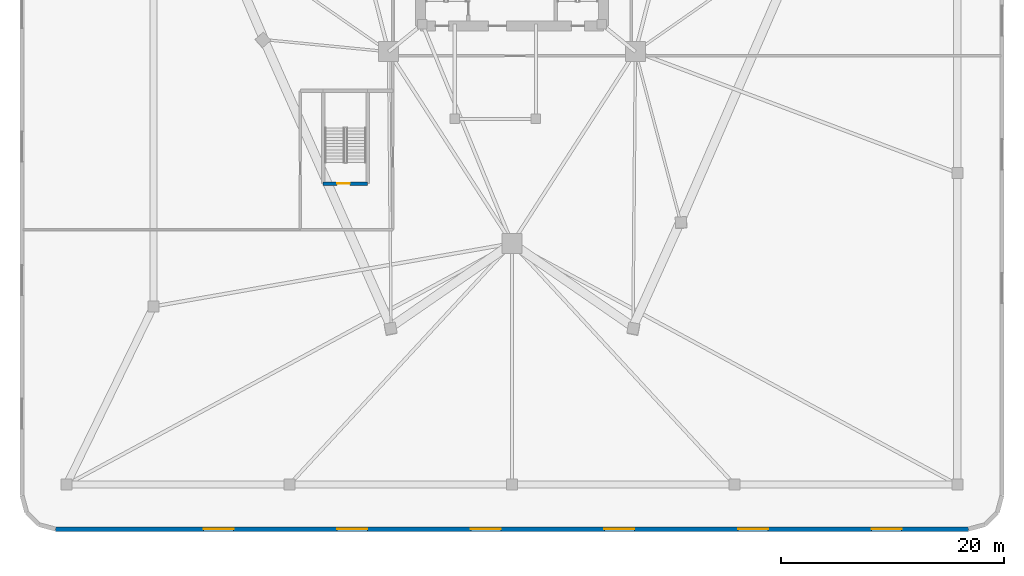
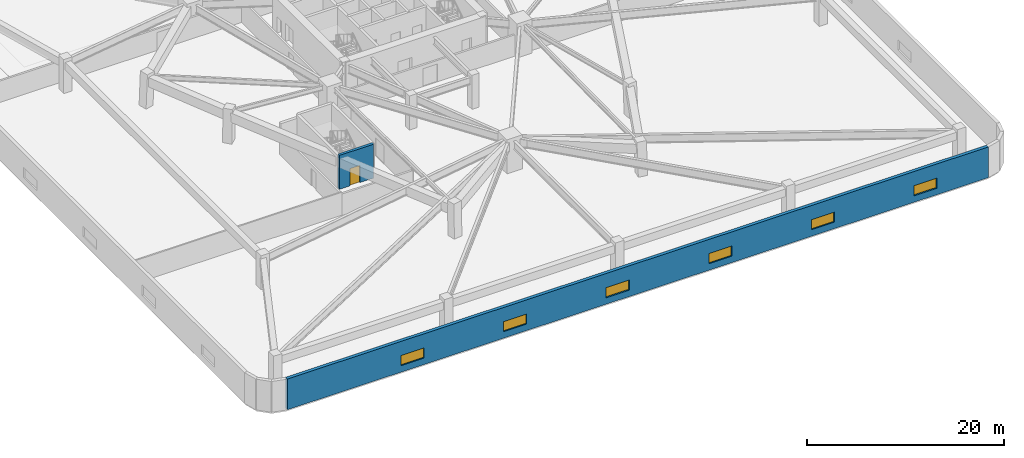
# One storey, part 3 of 10: 6 windows, 2 walls, 1 door, 7 openings.
"""IFC4 building model written with IfcOpenShell, lengths in metres."""

from ifc_helpers import new_model, si_unit, direction, frame, frame_2d, origin, place, context, subcontext, project, spatial, rectangle, extrude, material, layer, layer_set, type_object, element, fill, save


model = new_model("IFC4")

# Units and contexts
model_context = context("Model", 3, precision=1e-05, world=origin(), true_north=direction((0.0, 1.0)))
body_context = subcontext(model_context, "Body", "Model", "MODEL_VIEW")
ifc_project = project(units=[si_unit("LENGTHUNIT", "METRE"), si_unit("AREAUNIT", "SQUARE_METRE"), si_unit("VOLUMEUNIT", "CUBIC_METRE"), si_unit("PLANEANGLEUNIT", "RADIAN"), si_unit("MASSUNIT", "GRAM", prefix="KILO")], contexts=[model_context])

# Site, building, storey
site_placement = place(None, origin())
site = spatial("IfcSite", under=ifc_project, at=site_placement, CompositionType="ELEMENT")
building_placement = place(site_placement, origin())
building = spatial("IfcBuilding", under=site, at=building_placement, Name="Talyreon Biosciences Tower", CompositionType="ELEMENT")
storey_placement = place(building_placement, frame((0.0, 0.0, 18.60009765625)))
storey = spatial("IfcBuildingStorey", under=building, at=storey_placement, Name="L04", CompositionType="ELEMENT", Elevation=18.60009765625)

# Wall, opening, door
ifc_material_1 = material(Name="Concrete C50/60", Category="concrete")
ifc_layer_1 = layer(ifc_material_1, 0.320068359375)
ifc_layer_set_1 = layer_set([ifc_layer_1], Name="Concrete C50/60")
wall_type_1 = type_object("IfcWallType", Name="CoreShearWall_320", PredefinedType="SHEAR", material=ifc_layer_set_1)
wall_1_placement = place(storey_placement, frame((49.0400390625, 47.0400390625, 0.0), z_axis=(0.0, 0.0, 1.0), x_axis=(1.0, 0.0, 0.0)))
wall_1 = element("IfcWall", 1, at=wall_1_placement, inside=storey, type_object=wall_type_1, Name="L04 Stair ST-3 Structural Wall S", PredefinedType="SHEAR", context=body_context, shape_type="SweptSolid", body=[
    extrude(rectangle(XDim=4.0, YDim=0.320068359375, at=frame_2d((2.0, 0.0))), origin(), (0.0, 0.0, 1.0), 4.199951171875),
])
opening_1_placement = place(wall_1_placement, frame((1.25, 0.0, 0.0)))
opening_1 = element("IfcOpeningElement", 2, at=opening_1_placement, cuts=wall_1, Name="Opening DR-L04-ST3", PredefinedType="OPENING", context=body_context, shape_type="SweptSolid", body=[
    extrude(rectangle(XDim=1.14990234375, YDim=2.14990234375, at=frame_2d((0.574951171875, 1.074951171875))), frame((0.0, 0.169921875, 0.0), z_axis=(0.0, -1.0, 0.0), x_axis=(1.0, 0.0, 0.0)), (0.0, 0.0, 1.0), 0.340087890625),
])
ifc_material_2 = material(Name="Painted steel fire door", Category="steel")
door_type = type_object("IfcDoorType", Name="StairShaftFireDoor_1150x2150", OperationType="NOTDEFINED", PredefinedType="DOOR", material=ifc_material_2)
door_placement = place(opening_1_placement, origin())
door = element("IfcDoor", 3, at=door_placement, inside=storey, type_object=door_type, Name="L04 Core Door DR-L04-ST3", OperationType="SINGLE_SWING_LEFT", OverallHeight=2.14990234375, OverallWidth=1.14990234375, PredefinedType="DOOR", context=body_context, shape_type="SweptSolid", body=[
    extrude(rectangle(XDim=1.14990234375, YDim=2.14990234375, at=frame_2d((0.574951171875, 1.074951171875))), frame((0.0, 0.02490234375, 0.0), z_axis=(0.0, -1.0, 0.0), x_axis=(1.0, 0.0, 0.0)), (0.0, 0.0, 1.0), 0.050048828125),
])
fill(opening_1, door)

# Wall, openings, windows
ifc_material_3 = material(Name="Precast concrete C45/55", Category="concrete")
ifc_layer_2 = layer(ifc_material_3, 0.3798828125)
ifc_layer_set_2 = layer_set([ifc_layer_2], Name="Precast concrete C45/55")
wall_type_2 = type_object("IfcWallType", Name="PrecastConcretePodiumWall_380", PredefinedType="STANDARD", material=ifc_layer_set_2)
wall_2_placement = place(storey_placement, frame((107.0, 16.0, 0.0), z_axis=(0.0, 0.0, 1.0), x_axis=(-1.0, 0.0, 0.0)))
wall_2 = element("IfcWall", 4, at=wall_2_placement, inside=storey, type_object=wall_type_2, Name="L04 Podium Concrete Frame Wall 01", PredefinedType="STANDARD", context=body_context, shape_type="SweptSolid", body=[
    extrude(rectangle(XDim=82.0, YDim=0.3798828125, at=frame_2d((41.0, 0.0))), origin(), (0.0, 0.0, 1.0), 3.7998046875),
])
opening_2_placement = place(wall_2_placement, frame((6.0, 0.0, 0.800048828125)))
opening_2 = element("IfcOpeningElement", 5, at=opening_2_placement, cuts=wall_2, Name="Opening W05", PredefinedType="OPENING", context=body_context, shape_type="SweptSolid", body=[
    extrude(rectangle(XDim=2.699951171875, YDim=1.25, at=frame_2d((1.35009765625, 0.625))), frame((0.0, 0.199951171875, 0.0), z_axis=(0.0, -1.0, 0.0), x_axis=(1.0, 0.0, 0.0)), (0.0, 0.0, 1.0), 0.39990234375),
])
opening_3_placement = place(wall_2_placement, frame((18.0, 0.0, 0.800048828125)))
opening_3 = element("IfcOpeningElement", 6, at=opening_3_placement, cuts=wall_2, Name="Opening W05", PredefinedType="OPENING", context=body_context, shape_type="SweptSolid", body=[
    extrude(rectangle(XDim=2.699951171875, YDim=1.25, at=frame_2d((1.35009765625, 0.625))), frame((0.0, 0.199951171875, 0.0), z_axis=(0.0, -1.0, 0.0), x_axis=(1.0, 0.0, 0.0)), (0.0, 0.0, 1.0), 0.39990234375),
])
opening_4_placement = place(wall_2_placement, frame((30.0, 0.0, 0.800048828125)))
opening_4 = element("IfcOpeningElement", 7, at=opening_4_placement, cuts=wall_2, Name="Opening W05", PredefinedType="OPENING", context=body_context, shape_type="SweptSolid", body=[
    extrude(rectangle(XDim=2.699951171875, YDim=1.25, at=frame_2d((1.35009765625, 0.625))), frame((0.0, 0.199951171875, 0.0), z_axis=(0.0, -1.0, 0.0), x_axis=(1.0, 0.0, 0.0)), (0.0, 0.0, 1.0), 0.39990234375),
])
opening_5_placement = place(wall_2_placement, frame((42.0, 0.0, 0.800048828125)))
opening_5 = element("IfcOpeningElement", 8, at=opening_5_placement, cuts=wall_2, Name="Opening W05", PredefinedType="OPENING", context=body_context, shape_type="SweptSolid", body=[
    extrude(rectangle(XDim=2.699951171875, YDim=1.25, at=frame_2d((1.35009765625, 0.625))), frame((0.0, 0.199951171875, 0.0), z_axis=(0.0, -1.0, 0.0), x_axis=(1.0, 0.0, 0.0)), (0.0, 0.0, 1.0), 0.39990234375),
])
opening_6_placement = place(wall_2_placement, frame((54.0, 0.0, 0.800048828125)))
opening_6 = element("IfcOpeningElement", 9, at=opening_6_placement, cuts=wall_2, Name="Opening W05", PredefinedType="OPENING", context=body_context, shape_type="SweptSolid", body=[
    extrude(rectangle(XDim=2.699951171875, YDim=1.25, at=frame_2d((1.35009765625, 0.625))), frame((0.0, 0.199951171875, 0.0), z_axis=(0.0, -1.0, 0.0), x_axis=(1.0, 0.0, 0.0)), (0.0, 0.0, 1.0), 0.39990234375),
])
opening_7_placement = place(wall_2_placement, frame((66.0, 0.0, 0.800048828125)))
opening_7 = element("IfcOpeningElement", 10, at=opening_7_placement, cuts=wall_2, Name="Opening W05", PredefinedType="OPENING", context=body_context, shape_type="SweptSolid", body=[
    extrude(rectangle(XDim=2.699951171875, YDim=1.25, at=frame_2d((1.35009765625, 0.625))), frame((0.0, 0.199951171875, 0.0), z_axis=(0.0, -1.0, 0.0), x_axis=(1.0, 0.0, 0.0)), (0.0, 0.0, 1.0), 0.39990234375),
])
ifc_material_4 = material(Name="Thermally broken triple low-E aluminium window", Category="aluminium")
window_type = type_object("IfcWindowType", Name="TeachingLabWindow_2700x1250", PartitioningType="TRIPLE_PANEL_VERTICAL", PredefinedType="WINDOW", material=ifc_material_4)
window_1_placement = place(opening_2_placement, origin())
window_1 = element("IfcWindow", 11, at=window_1_placement, inside=storey, type_object=window_type, Name="L04 Podium Facade Window 01.01", OverallHeight=1.25, OverallWidth=2.699951171875, PartitioningType="SINGLE_PANEL", PredefinedType="WINDOW", context=body_context, shape_type="SweptSolid", body=[
    extrude(rectangle(XDim=2.699951171875, YDim=1.25, at=frame_2d((1.35009765625, 0.625))), frame((0.0, 0.030029296875, 0.0), z_axis=(0.0, -1.0, 0.0), x_axis=(1.0, 0.0, 0.0)), (0.0, 0.0, 1.0), 0.06005859375),
])
fill(opening_2, window_1)
window_2_placement = place(opening_3_placement, origin())
window_2 = element("IfcWindow", 12, at=window_2_placement, inside=storey, type_object=window_type, Name="L04 Podium Facade Window 01.02", OverallHeight=1.25, OverallWidth=2.699951171875, PartitioningType="SINGLE_PANEL", PredefinedType="WINDOW", context=body_context, shape_type="SweptSolid", body=[
    extrude(rectangle(XDim=2.699951171875, YDim=1.25, at=frame_2d((1.35009765625, 0.625))), frame((0.0, 0.030029296875, 0.0), z_axis=(0.0, -1.0, 0.0), x_axis=(1.0, 0.0, 0.0)), (0.0, 0.0, 1.0), 0.06005859375),
])
fill(opening_3, window_2)
window_3_placement = place(opening_4_placement, origin())
window_3 = element("IfcWindow", 13, at=window_3_placement, inside=storey, type_object=window_type, Name="L04 Podium Facade Window 01.03", OverallHeight=1.25, OverallWidth=2.699951171875, PartitioningType="SINGLE_PANEL", PredefinedType="WINDOW", context=body_context, shape_type="SweptSolid", body=[
    extrude(rectangle(XDim=2.699951171875, YDim=1.25, at=frame_2d((1.35009765625, 0.625))), frame((0.0, 0.030029296875, 0.0), z_axis=(0.0, -1.0, 0.0), x_axis=(1.0, 0.0, 0.0)), (0.0, 0.0, 1.0), 0.06005859375),
])
fill(opening_4, window_3)
window_4_placement = place(opening_5_placement, origin())
window_4 = element("IfcWindow", 14, at=window_4_placement, inside=storey, type_object=window_type, Name="L04 Podium Facade Window 01.04", OverallHeight=1.25, OverallWidth=2.699951171875, PartitioningType="SINGLE_PANEL", PredefinedType="WINDOW", context=body_context, shape_type="SweptSolid", body=[
    extrude(rectangle(XDim=2.699951171875, YDim=1.25, at=frame_2d((1.35009765625, 0.625))), frame((0.0, 0.030029296875, 0.0), z_axis=(0.0, -1.0, 0.0), x_axis=(1.0, 0.0, 0.0)), (0.0, 0.0, 1.0), 0.06005859375),
])
fill(opening_5, window_4)
window_5_placement = place(opening_6_placement, origin())
window_5 = element("IfcWindow", 15, at=window_5_placement, inside=storey, type_object=window_type, Name="L04 Podium Facade Window 01.05", OverallHeight=1.25, OverallWidth=2.699951171875, PartitioningType="SINGLE_PANEL", PredefinedType="WINDOW", context=body_context, shape_type="SweptSolid", body=[
    extrude(rectangle(XDim=2.699951171875, YDim=1.25, at=frame_2d((1.35009765625, 0.625))), frame((0.0, 0.030029296875, 0.0), z_axis=(0.0, -1.0, 0.0), x_axis=(1.0, 0.0, 0.0)), (0.0, 0.0, 1.0), 0.06005859375),
])
fill(opening_6, window_5)
window_6_placement = place(opening_7_placement, origin())
window_6 = element("IfcWindow", 16, at=window_6_placement, inside=storey, type_object=window_type, Name="L04 Podium Facade Window 01.06", OverallHeight=1.25, OverallWidth=2.699951171875, PartitioningType="SINGLE_PANEL", PredefinedType="WINDOW", context=body_context, shape_type="SweptSolid", body=[
    extrude(rectangle(XDim=2.699951171875, YDim=1.25, at=frame_2d((1.35009765625, 0.625))), frame((0.0, 0.030029296875, 0.0), z_axis=(0.0, -1.0, 0.0), x_axis=(1.0, 0.0, 0.0)), (0.0, 0.0, 1.0), 0.06005859375),
])
fill(opening_7, window_6)

save(model, "model.ifc")
